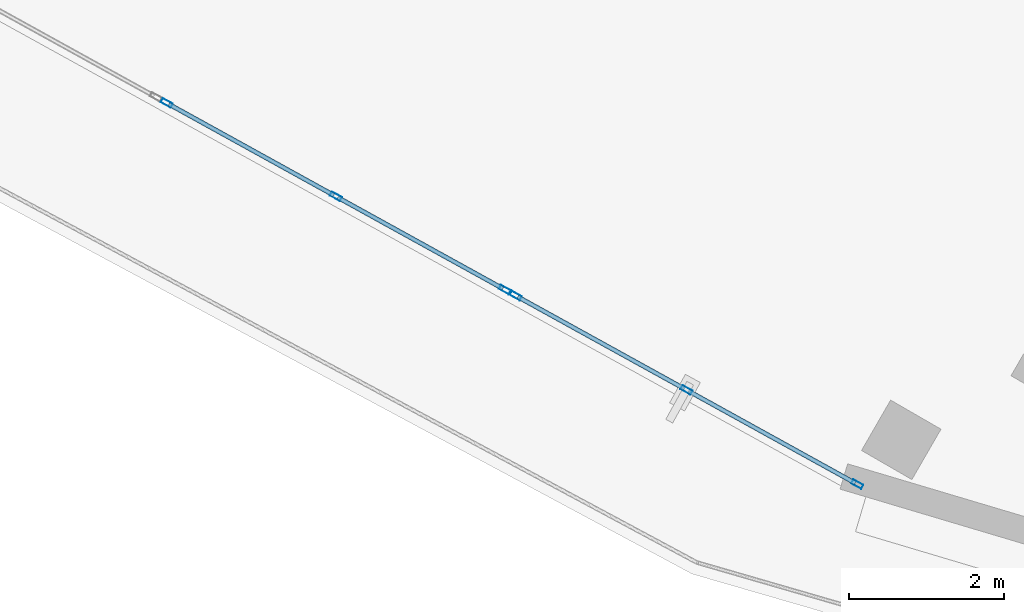
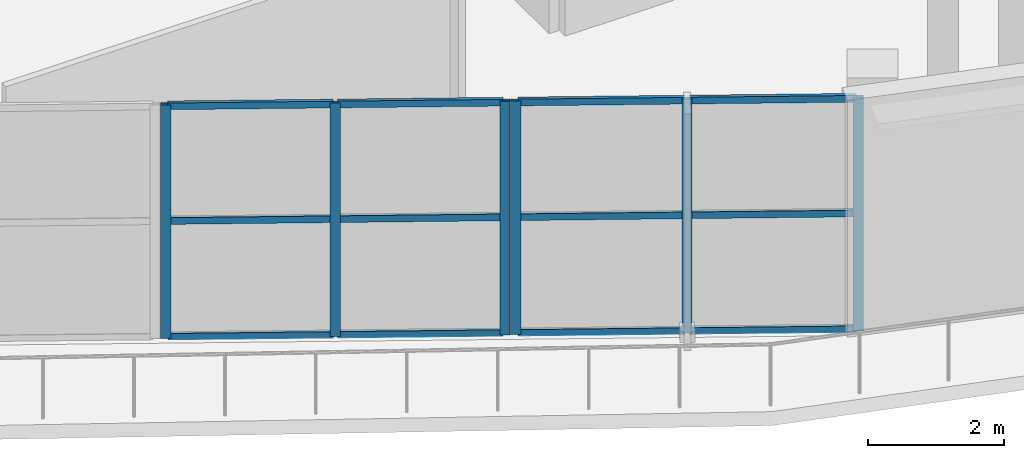
# One storey, part 17 of 107: 18 members, 2 elements without a shape of their own.
"""IFC4 building model written with IfcOpenShell, lengths in metres."""

from ifc_helpers import new_model, si_unit, direction, frame, origin, origin_2d, place, context, subcontext, project, spatial, hollow_rectangle, extrude, material, layer, layer_set, material_profile, profile_set, type_object, element, aggregate, save


model = new_model("IFC4")

# Units and contexts
model_context = context("Model", 3, precision=1e-05, world=origin(), true_north=direction((0.0, 1.0)))
body_context = subcontext(model_context, "Body", "Model", "MODEL_VIEW")
ifc_project = project(units=[si_unit("LENGTHUNIT", "METRE"), si_unit("AREAUNIT", "SQUARE_METRE"), si_unit("VOLUMEUNIT", "CUBIC_METRE"), si_unit("PLANEANGLEUNIT", "RADIAN"), si_unit("MASSUNIT", "GRAM", prefix="KILO")], contexts=[model_context])

# Site, building, storey
site_placement = place(None, origin())
site = spatial("IfcSite", under=ifc_project, at=site_placement, CompositionType="ELEMENT")
building_placement = place(site_placement, origin())
building = spatial("IfcBuilding", under=site, at=building_placement, Name="Kalgoora Escarpment Arena", CompositionType="ELEMENT")
storey_placement = place(building_placement, frame((0.0, 0.0, 5.39990234375)))
storey = spatial("IfcBuildingStorey", under=building, at=storey_placement, Name="L01", CompositionType="ELEMENT", Elevation=5.39990234375)

# Curtain wall, members
ifc_material_1 = material(Name=" Champagne anodised aluminium & double-glazed low-E", Category="aluminium")
ifc_layer_1 = layer(ifc_material_1, 0.166015625)
ifc_layer_set_1 = layer_set([ifc_layer_1], Name="CW-UNIT-14")
curtain_wall_type_1 = type_object("IfcCurtainWallType", Name="CW-UNIT-14", PredefinedType="NOTDEFINED", material=ifc_layer_set_1)
curtain_wall_1_placement = place(storey_placement, origin())
curtain_wall_1 = element("IfcCurtainWall", 1, at=curtain_wall_1_placement, inside=storey, type_object=curtain_wall_type_1, Name="L01 unitised facade curtain wall 013", PredefinedType="NOTDEFINED")
ifc_material_2 = material(Name="Anodised aluminium 6063-T6", Category="aluminium")
ifc_material_profile_1 = material_profile(ifc_material_2, hollow_rectangle(XDim=0.06005859375, YDim=0.14990234375, WallThickness=0.00341796875, at=origin_2d()))
ifc_profile_set_1 = profile_set([ifc_material_profile_1], Name="Anodised aluminium 6063-T6")
member_type_1 = type_object("IfcMemberType", Name="MEM-CW-MULL-150", PredefinedType="MULLION", material=ifc_profile_set_1)
member_1_placement = place(storey_placement, frame((48.931640625, 9.906494140625, 0.02001953125), z_axis=(0.0, 0.0, 1.0), x_axis=(-0.483343465293, -0.875430805123, 0.0)))
member_1 = element("IfcMember", 2, at=member_1_placement, type_object=member_type_1, Name="CW-14 mullion 1", PredefinedType="MULLION", context=body_context, shape_type="SweptSolid", body=[
    extrude(hollow_rectangle(XDim=0.06005859375, YDim=0.14990234375, WallThickness=0.00341796875, at=origin_2d()), origin(), (0.0, 0.0, 1.0), 4.190185546875),
])
member_2_placement = place(storey_placement, frame((46.7275390625, 11.123291015625, 0.02001953125), z_axis=(0.0, 0.0, 1.0), x_axis=(-0.483343465293, -0.875430805123, 0.0)))
member_2 = element("IfcMember", 3, at=member_2_placement, type_object=member_type_1, Name="CW-14 mullion 2", PredefinedType="MULLION", context=body_context, shape_type="SweptSolid", body=[
    extrude(hollow_rectangle(XDim=0.06005859375, YDim=0.14990234375, WallThickness=0.00341796875, at=origin_2d()), origin(), (0.0, 0.0, 1.0), 4.190185546875),
])
member_3_placement = place(storey_placement, frame((44.5234375, 12.34033203125, 0.02001953125), z_axis=(0.0, 0.0, 1.0), x_axis=(-0.483343465293, -0.875430805123, 0.0)))
member_3 = element("IfcMember", 4, at=member_3_placement, type_object=member_type_1, Name="CW-14 mullion 3", PredefinedType="MULLION", context=body_context, shape_type="SweptSolid", body=[
    extrude(hollow_rectangle(XDim=0.06005859375, YDim=0.14990234375, WallThickness=0.00341796875, at=origin_2d()), origin(), (0.0, 0.0, 1.0), 4.190185546875),
])

ifc_material_3 = material(Name=" Champagne anodised aluminium & double-glazed low-E", Category="aluminium")
ifc_layer_2 = layer(ifc_material_3, 0.14990234375)
ifc_layer_set_2 = layer_set([ifc_layer_2], Name="CW-UNIT-15")
curtain_wall_type_2 = type_object("IfcCurtainWallType", Name="CW-UNIT-15", PredefinedType="NOTDEFINED", material=ifc_layer_set_2)
curtain_wall_2_placement = place(storey_placement, origin())
curtain_wall_2 = element("IfcCurtainWall", 5, at=curtain_wall_2_placement, inside=storey, type_object=curtain_wall_type_2, Name="L01 unitised facade curtain wall 014", PredefinedType="NOTDEFINED")
member_4_placement = place(storey_placement, frame((44.383544921875, 12.41748046875, 0.02001953125), z_axis=(0.0, 0.0, 1.0), x_axis=(-0.483332479669, -0.875436870424, 0.0)))
member_4 = element("IfcMember", 6, at=member_4_placement, type_object=member_type_1, Name="CW-15 mullion 1", PredefinedType="MULLION", context=body_context, shape_type="SweptSolid", body=[
    extrude(hollow_rectangle(XDim=0.06005859375, YDim=0.14990234375, WallThickness=0.00341796875, at=origin_2d()), origin(), (0.0, 0.0, 1.0), 4.190185546875),
])
member_5_placement = place(storey_placement, frame((42.201171875, 13.62255859375, 0.02001953125), z_axis=(0.0, 0.0, 1.0), x_axis=(-0.483332479669, -0.875436870424, 0.0)))
member_5 = element("IfcMember", 7, at=member_5_placement, type_object=member_type_1, Name="CW-15 mullion 2", PredefinedType="MULLION", context=body_context, shape_type="SweptSolid", body=[
    extrude(hollow_rectangle(XDim=0.06005859375, YDim=0.14990234375, WallThickness=0.00341796875, at=origin_2d()), origin(), (0.0, 0.0, 1.0), 4.190185546875),
])
member_6_placement = place(storey_placement, frame((40.018798828125, 14.827392578125, 0.02001953125), z_axis=(0.0, 0.0, 1.0), x_axis=(-0.483332479669, -0.875436870424, 0.0)))
member_6 = element("IfcMember", 8, at=member_6_placement, type_object=member_type_1, Name="CW-15 mullion 3", PredefinedType="MULLION", context=body_context, shape_type="SweptSolid", body=[
    extrude(hollow_rectangle(XDim=0.06005859375, YDim=0.14990234375, WallThickness=0.00341796875, at=origin_2d()), origin(), (0.0, 0.0, 1.0), 4.190185546875),
])

# Member
ifc_material_4 = material(Name="Anodised aluminium 6063-T6", Category="aluminium")
ifc_material_profile_2 = material_profile(ifc_material_4, hollow_rectangle(XDim=0.054931640625, YDim=0.1201171875, WallThickness=0.003173828125, at=origin_2d()))
ifc_profile_set_2 = profile_set([ifc_material_profile_2], Name="Anodised aluminium 6063-T6")
member_type_2 = type_object("IfcMemberType", Name="MEM-CW-TRAN-120", PredefinedType="USERDEFINED", material=ifc_profile_set_2)
member_7_placement = place(storey_placement, frame((48.905517578125, 9.9208984375, 0.047607421875), z_axis=(-0.875424067113, 0.483355668963, 0.0), x_axis=(-0.483355668963, -0.875424067113, 0.0)))
member_7 = element("IfcMember", 9, at=member_7_placement, type_object=member_type_2, Name="CW-14 transom 1.1", ObjectType="TRANSOM", PredefinedType="USERDEFINED", context=body_context, shape_type="SweptSolid", body=[
    extrude(hollow_rectangle(XDim=0.054931640625, YDim=0.1201171875, WallThickness=0.003173828125, at=origin_2d()), origin(), (0.0, 0.0, 1.0), 2.457763671875),
])

member_8_placement = place(storey_placement, frame((48.905517578125, 9.9208984375, 2.125), z_axis=(-0.875424067113, 0.483355668963, 0.0), x_axis=(-0.483355668963, -0.875424067113, 0.0)))
member_8 = element("IfcMember", 10, at=member_8_placement, type_object=member_type_2, Name="CW-14 transom 1.2", ObjectType="TRANSOM", PredefinedType="USERDEFINED", context=body_context, shape_type="SweptSolid", body=[
    extrude(hollow_rectangle(XDim=0.054931640625, YDim=0.1201171875, WallThickness=0.003173828125, at=origin_2d()), origin(), (0.0, 0.0, 1.0), 2.457763671875),
])

member_9_placement = place(storey_placement, frame((48.905517578125, 9.9208984375, 4.1826171875), z_axis=(-0.875424067113, 0.483355668963, 0.0), x_axis=(-0.483355668963, -0.875424067113, 0.0)))
member_9 = element("IfcMember", 11, at=member_9_placement, type_object=member_type_2, Name="CW-14 transom 1.3", ObjectType="TRANSOM", PredefinedType="USERDEFINED", context=body_context, shape_type="SweptSolid", body=[
    extrude(hollow_rectangle(XDim=0.054931640625, YDim=0.1201171875, WallThickness=0.003173828125, at=origin_2d()), origin(), (0.0, 0.0, 1.0), 2.457763671875),
])

member_10_placement = place(storey_placement, frame((46.701416015625, 11.137939453125, 0.047607421875), z_axis=(-0.875466097817, 0.483279537715, 0.0), x_axis=(-0.483279537715, -0.875466097817, 0.0)))
member_10 = element("IfcMember", 12, at=member_10_placement, type_object=member_type_2, Name="CW-14 transom 2.1", ObjectType="TRANSOM", PredefinedType="USERDEFINED", context=body_context, shape_type="SweptSolid", body=[
    extrude(hollow_rectangle(XDim=0.054931640625, YDim=0.1201171875, WallThickness=0.003173828125, at=origin_2d()), origin(), (0.0, 0.0, 1.0), 2.457763671875),
])

member_11_placement = place(storey_placement, frame((46.701416015625, 11.137939453125, 2.125), z_axis=(-0.875466097817, 0.483279537715, 0.0), x_axis=(-0.483279537715, -0.875466097817, 0.0)))
member_11 = element("IfcMember", 13, at=member_11_placement, type_object=member_type_2, Name="CW-14 transom 2.2", ObjectType="TRANSOM", PredefinedType="USERDEFINED", context=body_context, shape_type="SweptSolid", body=[
    extrude(hollow_rectangle(XDim=0.054931640625, YDim=0.1201171875, WallThickness=0.003173828125, at=origin_2d()), origin(), (0.0, 0.0, 1.0), 2.457763671875),
])

member_12_placement = place(storey_placement, frame((46.701416015625, 11.137939453125, 4.1826171875), z_axis=(-0.875466097817, 0.483279537715, 0.0), x_axis=(-0.483279537715, -0.875466097817, 0.0)))
member_12 = element("IfcMember", 14, at=member_12_placement, type_object=member_type_2, Name="CW-14 transom 2.3", ObjectType="TRANSOM", PredefinedType="USERDEFINED", context=body_context, shape_type="SweptSolid", body=[
    extrude(hollow_rectangle(XDim=0.054931640625, YDim=0.1201171875, WallThickness=0.003173828125, at=origin_2d()), origin(), (0.0, 0.0, 1.0), 2.457763671875),
])

aggregate(curtain_wall_1, [member_1, member_2, member_3, member_7, member_8, member_9, member_10, member_11, member_12])

member_13_placement = place(storey_placement, frame((44.357177734375, 12.43212890625, 0.047607421875), z_axis=(-0.875460567102, 0.483289556529, 0.0), x_axis=(-0.483289556529, -0.875460567102, 0.0)))
member_13 = element("IfcMember", 15, at=member_13_placement, type_object=member_type_2, Name="CW-15 transom 1.1", ObjectType="TRANSOM", PredefinedType="USERDEFINED", context=body_context, shape_type="SweptSolid", body=[
    extrude(hollow_rectangle(XDim=0.054931640625, YDim=0.1201171875, WallThickness=0.003173828125, at=origin_2d()), origin(), (0.0, 0.0, 1.0), 2.432861328125),
])

member_14_placement = place(storey_placement, frame((44.357177734375, 12.43212890625, 2.125), z_axis=(-0.875460567102, 0.483289556529, 0.0), x_axis=(-0.483289556529, -0.875460567102, 0.0)))
member_14 = element("IfcMember", 16, at=member_14_placement, type_object=member_type_2, Name="CW-15 transom 1.2", ObjectType="TRANSOM", PredefinedType="USERDEFINED", context=body_context, shape_type="SweptSolid", body=[
    extrude(hollow_rectangle(XDim=0.054931640625, YDim=0.1201171875, WallThickness=0.003173828125, at=origin_2d()), origin(), (0.0, 0.0, 1.0), 2.432861328125),
])

member_15_placement = place(storey_placement, frame((44.357177734375, 12.43212890625, 4.1826171875), z_axis=(-0.875460567102, 0.483289556529, 0.0), x_axis=(-0.483289556529, -0.875460567102, 0.0)))
member_15 = element("IfcMember", 17, at=member_15_placement, type_object=member_type_2, Name="CW-15 transom 1.3", ObjectType="TRANSOM", PredefinedType="USERDEFINED", context=body_context, shape_type="SweptSolid", body=[
    extrude(hollow_rectangle(XDim=0.054931640625, YDim=0.1201171875, WallThickness=0.003173828125, at=origin_2d()), origin(), (0.0, 0.0, 1.0), 2.432861328125),
])

member_16_placement = place(storey_placement, frame((42.1748046875, 13.636962890625, 0.047607421875), z_axis=(-0.875437125192, 0.483332018219, 0.0), x_axis=(-0.483332018219, -0.875437125192, 0.0)))
member_16 = element("IfcMember", 18, at=member_16_placement, type_object=member_type_2, Name="CW-15 transom 2.1", ObjectType="TRANSOM", PredefinedType="USERDEFINED", context=body_context, shape_type="SweptSolid", body=[
    extrude(hollow_rectangle(XDim=0.054931640625, YDim=0.1201171875, WallThickness=0.003173828125, at=origin_2d()), origin(), (0.0, 0.0, 1.0), 2.4326171875),
])

member_17_placement = place(storey_placement, frame((42.1748046875, 13.636962890625, 2.125), z_axis=(-0.875437125192, 0.483332018219, 0.0), x_axis=(-0.483332018219, -0.875437125192, 0.0)))
member_17 = element("IfcMember", 19, at=member_17_placement, type_object=member_type_2, Name="CW-15 transom 2.2", ObjectType="TRANSOM", PredefinedType="USERDEFINED", context=body_context, shape_type="SweptSolid", body=[
    extrude(hollow_rectangle(XDim=0.054931640625, YDim=0.1201171875, WallThickness=0.003173828125, at=origin_2d()), origin(), (0.0, 0.0, 1.0), 2.4326171875),
])

member_18_placement = place(storey_placement, frame((42.1748046875, 13.636962890625, 4.1826171875), z_axis=(-0.875437125192, 0.483332018219, 0.0), x_axis=(-0.483332018219, -0.875437125192, 0.0)))
member_18 = element("IfcMember", 20, at=member_18_placement, type_object=member_type_2, Name="CW-15 transom 2.3", ObjectType="TRANSOM", PredefinedType="USERDEFINED", context=body_context, shape_type="SweptSolid", body=[
    extrude(hollow_rectangle(XDim=0.054931640625, YDim=0.1201171875, WallThickness=0.003173828125, at=origin_2d()), origin(), (0.0, 0.0, 1.0), 2.4326171875),
])

aggregate(curtain_wall_2, [member_4, member_5, member_6, member_13, member_14, member_15, member_16, member_17, member_18])

save(model, "model.ifc")
